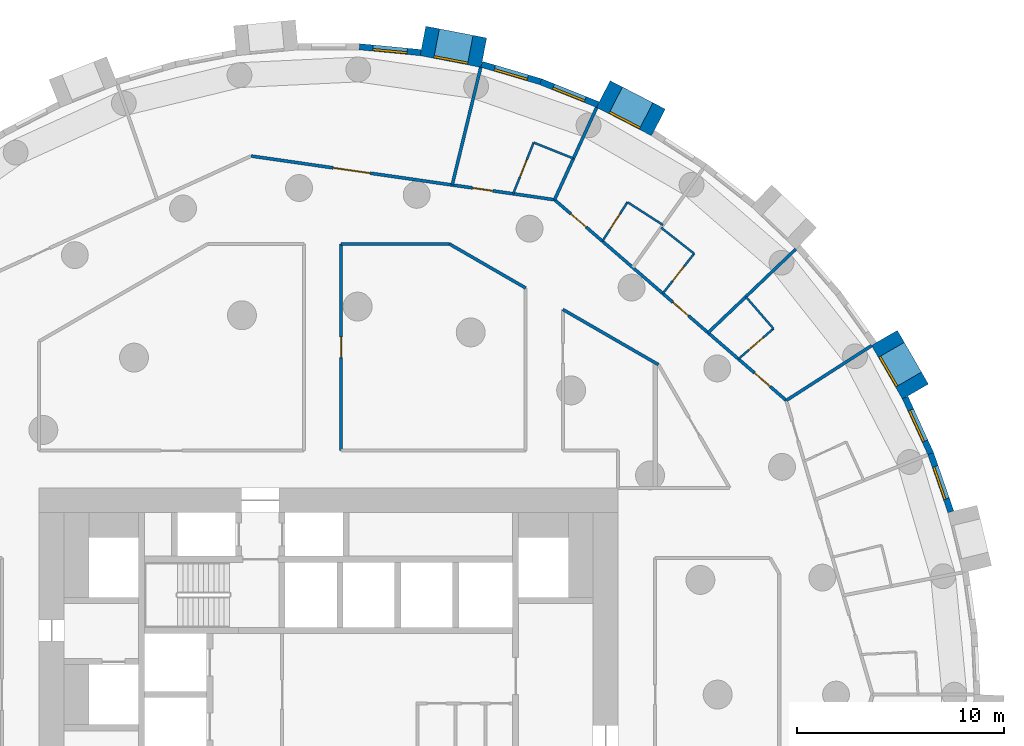
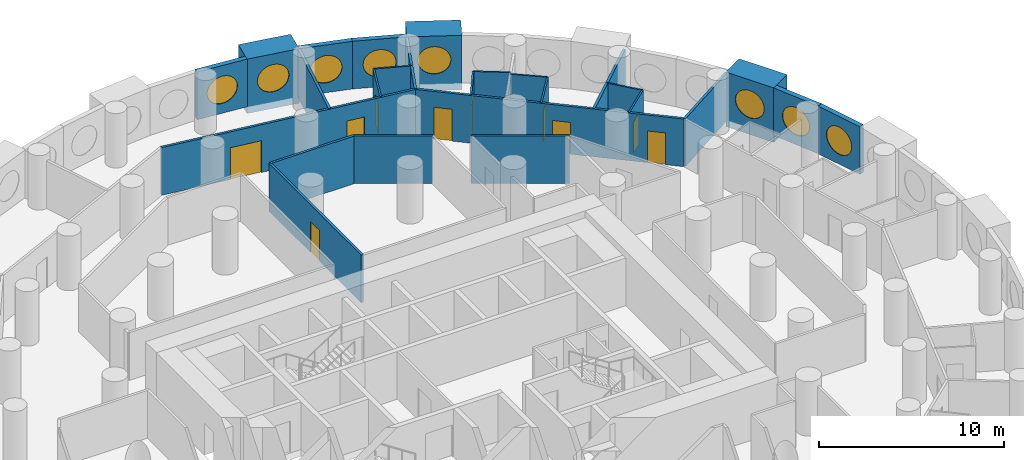
# One storey, part 9 of 12: 26 walls, 10 doors, 8 windows, 18 openings.
"""IFC4 building model written with IfcOpenShell, lengths in metres."""

from ifc_helpers import new_model, si_unit, direction, frame, frame_2d, origin, origin_2d, place, context, subcontext, project, spatial, rectangle, circle, extrude, material, layer, layer_set, type_object, element, fill, save


model = new_model("IFC4")

# Units and contexts
model_context = context("Model", 3, precision=1e-05, world=origin(), true_north=direction((0.0, 1.0)))
body_context = subcontext(model_context, "Body", "Model", "MODEL_VIEW")
ifc_project = project(units=[si_unit("LENGTHUNIT", "METRE"), si_unit("AREAUNIT", "SQUARE_METRE"), si_unit("VOLUMEUNIT", "CUBIC_METRE"), si_unit("PLANEANGLEUNIT", "RADIAN"), si_unit("MASSUNIT", "GRAM", prefix="KILO")], contexts=[model_context])

# Site, building, storey
site_placement = place(None, origin())
site = spatial("IfcSite", under=ifc_project, at=site_placement, CompositionType="ELEMENT")
building_placement = place(site_placement, origin())
building = spatial("IfcBuilding", under=site, at=building_placement, Name="Tracery Tower", CompositionType="ELEMENT")
storey_placement = place(building_placement, frame((0.0, 0.0, 71.39990234375)))
storey = spatial("IfcBuildingStorey", under=building, at=storey_placement, Name="L17", CompositionType="ELEMENT", Elevation=71.39990234375)

# Wall, opening, window
ifc_material_1 = material(Name="Precast concrete C50/60", Category="concrete")
ifc_layer_1 = layer(ifc_material_1, 1.449951171875)
ifc_layer_set_1 = layer_set([ifc_layer_1], Name="Deep-set bay unit 3000 x 3600, slab edge 450")
wall_type_1 = type_object("IfcWallType", Name="Deep-set bay unit 3000 x 3600, slab edge 450", PredefinedType="ELEMENTEDWALL", material=ifc_layer_set_1)
wall_1_placement = place(storey_placement, frame((28.38818359375, 14.657958984375, -0.449951171875), z_axis=(0.0, 0.0, 1.0), x_axis=(-0.499990139034, 0.866031096941, 0.0)))
wall_1 = element("IfcWall", 1, at=wall_1_placement, inside=storey, type_object=wall_type_1, Name="Deep-set bay unit 6 at L17", PredefinedType="ELEMENTEDWALL", context=body_context, shape_type="SweptSolid", body=[
    extrude(rectangle(XDim=3.0, YDim=1.449951171875, at=frame_2d((1.5, 0.0))), origin(), (0.0, 0.0, 1.0), 3.60009765625),
])
opening_1_placement = place(wall_1_placement, frame((1.5, 0.0, 2.0)))
opening_1 = element("IfcOpeningElement", 2, at=opening_1_placement, cuts=wall_1, Name="Opening WN1", PredefinedType="OPENING", context=body_context, shape_type="SweptSolid", body=[
    extrude(circle(Radius=0.9000244140625, at=origin_2d()), frame((0.0, 0.73486328125, 0.0), z_axis=(0.0, -1.0, 0.0), x_axis=(1.0, 0.0, 0.0)), (0.0, 0.0, 1.0), 1.469970703125),
])
ifc_material_2 = material(Name="Aluminium frame with tinted double glazing", Category="aluminium")
window_type = type_object("IfcWindowType", Name="Round window 1800", PartitioningType="SINGLE_PANEL", PredefinedType="WINDOW", material=ifc_material_2)
window_1_placement = place(opening_1_placement, origin())
window_1 = element("IfcWindow", 3, at=window_1_placement, inside=storey, type_object=window_type, Name="Round window 6 at L17", OverallHeight=1.800048828125, OverallWidth=1.800048828125, PartitioningType="SINGLE_PANEL", PredefinedType="WINDOW", context=body_context, shape_type="SweptSolid", body=[
    extrude(circle(Radius=0.9000244140625, at=origin_2d()), frame((0.0, 0.69482421875, 0.0), z_axis=(0.0, -1.0, 0.0), x_axis=(1.0, 0.0, 0.0)), (0.0, 0.0, 1.0), 0.10009765625),
])
fill(opening_1, window_1)

wall_2_placement = place(storey_placement, frame((15.95703125, 27.678955078125, -0.449951171875), z_axis=(0.0, 0.0, 1.0), x_axis=(-0.888858064689, 0.458182650083, 0.0)))
wall_2 = element("IfcWall", 4, at=wall_2_placement, inside=storey, type_object=wall_type_1, Name="Deep-set bay unit 12 at L17", PredefinedType="ELEMENTEDWALL", context=body_context, shape_type="SweptSolid", body=[
    extrude(rectangle(XDim=3.0, YDim=1.449951171875, at=frame_2d((1.5, 0.0))), origin(), (0.0, 0.0, 1.0), 3.60009765625),
])
opening_2_placement = place(wall_2_placement, frame((1.5, 0.0, 2.0)))
opening_2 = element("IfcOpeningElement", 5, at=opening_2_placement, cuts=wall_2, Name="Opening WN1", PredefinedType="OPENING", context=body_context, shape_type="SweptSolid", body=[
    extrude(circle(Radius=0.9000244140625, at=origin_2d()), frame((0.0, 0.73486328125, 0.0), z_axis=(0.0, -1.0, 0.0), x_axis=(1.0, 0.0, 0.0)), (0.0, 0.0, 1.0), 1.469970703125),
])
window_2_placement = place(opening_2_placement, origin())
window_2 = element("IfcWindow", 6, at=window_2_placement, inside=storey, type_object=window_type, Name="Round window 12 at L17", OverallHeight=1.800048828125, OverallWidth=1.800048828125, PartitioningType="SINGLE_PANEL", PredefinedType="WINDOW", context=body_context, shape_type="SweptSolid", body=[
    extrude(circle(Radius=0.9000244140625, at=origin_2d()), frame((0.0, 0.69482421875, 0.0), z_axis=(0.0, -1.0, 0.0), x_axis=(1.0, 0.0, 0.0)), (0.0, 0.0, 1.0), 0.10009765625),
])
fill(opening_2, window_2)

wall_3_placement = place(storey_placement, frame((7.5126953125, 31.05322265625, -0.449951171875), z_axis=(0.0, 0.0, 1.0), x_axis=(-0.981921602273, 0.189288052949, 0.0)))
wall_3 = element("IfcWall", 7, at=wall_3_placement, inside=storey, type_object=wall_type_1, Name="Deep-set bay unit 15 at L17", PredefinedType="ELEMENTEDWALL", context=body_context, shape_type="SweptSolid", body=[
    extrude(rectangle(XDim=3.0, YDim=1.449951171875, at=frame_2d((1.5, 0.0))), origin(), (0.0, 0.0, 1.0), 3.60009765625),
])
opening_3_placement = place(wall_3_placement, frame((1.5, 0.0, 2.0)))
opening_3 = element("IfcOpeningElement", 8, at=opening_3_placement, cuts=wall_3, Name="Opening WN1", PredefinedType="OPENING", context=body_context, shape_type="SweptSolid", body=[
    extrude(circle(Radius=0.9000244140625, at=origin_2d()), frame((0.0, 0.73486328125, 0.0), z_axis=(0.0, -1.0, 0.0), x_axis=(1.0, 0.0, 0.0)), (0.0, 0.0, 1.0), 1.469970703125),
])
window_3_placement = place(opening_3_placement, origin())
window_3 = element("IfcWindow", 9, at=window_3_placement, inside=storey, type_object=window_type, Name="Round window 15 at L17", OverallHeight=1.800048828125, OverallWidth=1.800048828125, PartitioningType="SINGLE_PANEL", PredefinedType="WINDOW", context=body_context, shape_type="SweptSolid", body=[
    extrude(circle(Radius=0.9000244140625, at=origin_2d()), frame((0.0, 0.69482421875, 0.0), z_axis=(0.0, -1.0, 0.0), x_axis=(1.0, 0.0, 0.0)), (0.0, 0.0, 1.0), 0.10009765625),
])
fill(opening_3, window_3)

ifc_material_3 = material(Name="Precast concrete C50/60", Category="concrete")
ifc_layer_2 = layer(ifc_material_3, 0.300048828125)
ifc_layer_set_2 = layer_set([ifc_layer_2], Name="Facade panel 3000 x 3150")
wall_type_2 = type_object("IfcWallType", Name="Facade panel 3000 x 3150", PredefinedType="SOLIDWALL", material=ifc_layer_set_2)
wall_4_placement = place(storey_placement, frame((30.1015625, 8.844970703125, 0.0), z_axis=(0.0, 0.0, 1.0), x_axis=(-0.327096492592, 0.944990944154, 0.0)))
wall_4 = element("IfcWall", 10, at=wall_4_placement, inside=storey, type_object=wall_type_2, Name="Facade panel 4 at L17", PredefinedType="SOLIDWALL", context=body_context, shape_type="SweptSolid", body=[
    extrude(rectangle(XDim=2.9794921875, YDim=0.300048828125, at=frame_2d((1.48974609375, 0.0))), origin(), (0.0, 0.0, 1.0), 3.150146484375),
])
opening_4_placement = place(wall_4_placement, frame((1.48974609375, 0.0, 1.5498046875)))
opening_4 = element("IfcOpeningElement", 11, at=opening_4_placement, cuts=wall_4, Name="Opening WN1", PredefinedType="OPENING", context=body_context, shape_type="SweptSolid", body=[
    extrude(circle(Radius=0.9000244140625, at=origin_2d()), frame((0.0, 0.159912109375, 0.0), z_axis=(0.0, -1.0, 0.0), x_axis=(1.0, 0.0, 0.0)), (0.0, 0.0, 1.0), 0.320068359375),
])
window_4_placement = place(opening_4_placement, origin())
window_4 = element("IfcWindow", 12, at=window_4_placement, inside=storey, type_object=window_type, Name="Round window 4 at L17", OverallHeight=1.800048828125, OverallWidth=1.800048828125, PartitioningType="SINGLE_PANEL", PredefinedType="WINDOW", context=body_context, shape_type="SweptSolid", body=[
    extrude(circle(Radius=0.9000244140625, at=origin_2d()), frame((0.0, 0.1201171875, 0.0), z_axis=(0.0, -1.0, 0.0), x_axis=(1.0, 0.0, 0.0)), (0.0, 0.0, 1.0), 0.10009765625),
])
fill(opening_4, window_4)

wall_5_placement = place(storey_placement, frame((29.126953125, 11.66064453125, 0.0), z_axis=(0.0, 0.0, 1.0), x_axis=(-0.415407317162, 0.909635509888, 0.0)))
wall_5 = element("IfcWall", 13, at=wall_5_placement, inside=storey, type_object=wall_type_2, Name="Facade panel 5 at L17", PredefinedType="SOLIDWALL", context=body_context, shape_type="SweptSolid", body=[
    extrude(rectangle(XDim=2.979736328125, YDim=0.300048828125, at=frame_2d((1.48974609375, 0.0))), origin(), (0.0, 0.0, 1.0), 3.150146484375),
])
opening_5_placement = place(wall_5_placement, frame((1.48974609375, 0.0, 1.5498046875)))
opening_5 = element("IfcOpeningElement", 14, at=opening_5_placement, cuts=wall_5, Name="Opening WN1", PredefinedType="OPENING", context=body_context, shape_type="SweptSolid", body=[
    extrude(circle(Radius=0.9000244140625, at=origin_2d()), frame((0.0, 0.159912109375, 0.0), z_axis=(0.0, -1.0, 0.0), x_axis=(1.0, 0.0, 0.0)), (0.0, 0.0, 1.0), 0.320068359375),
])
window_5_placement = place(opening_5_placement, origin())
window_5 = element("IfcWindow", 15, at=window_5_placement, inside=storey, type_object=window_type, Name="Round window 5 at L17", OverallHeight=1.800048828125, OverallWidth=1.800048828125, PartitioningType="SINGLE_PANEL", PredefinedType="WINDOW", context=body_context, shape_type="SweptSolid", body=[
    extrude(circle(Radius=0.9000244140625, at=origin_2d()), frame((0.0, 0.1201171875, 0.0), z_axis=(0.0, -1.0, 0.0), x_axis=(1.0, 0.0, 0.0)), (0.0, 0.0, 1.0), 0.10009765625),
])
fill(opening_5, window_5)

wall_6_placement = place(storey_placement, frame((13.02783203125, 28.54150390625, 0.0), z_axis=(0.0, 0.0, 1.0), x_axis=(-0.928374947, 0.371644935098, 0.0)))
wall_6 = element("IfcWall", 16, at=wall_6_placement, inside=storey, type_object=wall_type_2, Name="Facade panel 13 at L17", PredefinedType="SOLIDWALL", context=body_context, shape_type="SweptSolid", body=[
    extrude(rectangle(XDim=2.979736328125, YDim=0.300048828125, at=frame_2d((1.48974609375, 0.0))), origin(), (0.0, 0.0, 1.0), 3.150146484375),
])
opening_6_placement = place(wall_6_placement, frame((1.48974609375, 0.0, 1.5498046875)))
opening_6 = element("IfcOpeningElement", 17, at=opening_6_placement, cuts=wall_6, Name="Opening WN1", PredefinedType="OPENING", context=body_context, shape_type="SweptSolid", body=[
    extrude(circle(Radius=0.9000244140625, at=origin_2d()), frame((0.0, 0.159912109375, 0.0), z_axis=(0.0, -1.0, 0.0), x_axis=(1.0, 0.0, 0.0)), (0.0, 0.0, 1.0), 0.320068359375),
])
window_6_placement = place(opening_6_placement, origin())
window_6 = element("IfcWindow", 18, at=window_6_placement, inside=storey, type_object=window_type, Name="Round window 13 at L17", OverallHeight=1.800048828125, OverallWidth=1.800048828125, PartitioningType="SINGLE_PANEL", PredefinedType="WINDOW", context=body_context, shape_type="SweptSolid", body=[
    extrude(circle(Radius=0.9000244140625, at=origin_2d()), frame((0.0, 0.1201171875, 0.0), z_axis=(0.0, -1.0, 0.0), x_axis=(1.0, 0.0, 0.0)), (0.0, 0.0, 1.0), 0.10009765625),
])
fill(opening_6, window_6)

wall_7_placement = place(storey_placement, frame((10.261474609375, 29.64892578125, 0.0), z_axis=(0.0, 0.0, 1.0), x_axis=(-0.959501085144, 0.281704930036, 0.0)))
wall_7 = element("IfcWall", 19, at=wall_7_placement, inside=storey, type_object=wall_type_2, Name="Facade panel 14 at L17", PredefinedType="SOLIDWALL", context=body_context, shape_type="SweptSolid", body=[
    extrude(rectangle(XDim=2.9794921875, YDim=0.300048828125, at=frame_2d((1.48974609375, 0.0))), origin(), (0.0, 0.0, 1.0), 3.150146484375),
])
opening_7_placement = place(wall_7_placement, frame((1.48974609375, 0.0, 1.5498046875)))
opening_7 = element("IfcOpeningElement", 20, at=opening_7_placement, cuts=wall_7, Name="Opening WN1", PredefinedType="OPENING", context=body_context, shape_type="SweptSolid", body=[
    extrude(circle(Radius=0.9000244140625, at=origin_2d()), frame((0.0, 0.159912109375, 0.0), z_axis=(0.0, -1.0, 0.0), x_axis=(1.0, 0.0, 0.0)), (0.0, 0.0, 1.0), 0.320068359375),
])
window_7_placement = place(opening_7_placement, origin())
window_7 = element("IfcWindow", 21, at=window_7_placement, inside=storey, type_object=window_type, Name="Round window 14 at L17", OverallHeight=1.800048828125, OverallWidth=1.800048828125, PartitioningType="SINGLE_PANEL", PredefinedType="WINDOW", context=body_context, shape_type="SweptSolid", body=[
    extrude(circle(Radius=0.9000244140625, at=origin_2d()), frame((0.0, 0.1201171875, 0.0), z_axis=(0.0, -1.0, 0.0), x_axis=(1.0, 0.0, 0.0)), (0.0, 0.0, 1.0), 0.10009765625),
])
fill(opening_7, window_7)

wall_8_placement = place(storey_placement, frame((4.458984375, 31.0556640625, 0.0), z_axis=(0.0, 0.0, 1.0), x_axis=(-0.995472611385, 0.095048829468, 0.0)))
wall_8 = element("IfcWall", 22, at=wall_8_placement, inside=storey, type_object=wall_type_2, Name="Facade panel 16 at L17", PredefinedType="SOLIDWALL", context=body_context, shape_type="SweptSolid", body=[
    extrude(rectangle(XDim=2.9794921875, YDim=0.300048828125, at=frame_2d((1.48974609375, 0.0))), origin(), (0.0, 0.0, 1.0), 3.150146484375),
])
opening_8_placement = place(wall_8_placement, frame((1.48974609375, 0.0, 1.5498046875)))
opening_8 = element("IfcOpeningElement", 23, at=opening_8_placement, cuts=wall_8, Name="Opening WN1", PredefinedType="OPENING", context=body_context, shape_type="SweptSolid", body=[
    extrude(circle(Radius=0.9000244140625, at=origin_2d()), frame((0.0, 0.159912109375, 0.0), z_axis=(0.0, -1.0, 0.0), x_axis=(1.0, 0.0, 0.0)), (0.0, 0.0, 1.0), 0.320068359375),
])
window_8_placement = place(opening_8_placement, origin())
window_8 = element("IfcWindow", 24, at=window_8_placement, inside=storey, type_object=window_type, Name="Round window 16 at L17", OverallHeight=1.800048828125, OverallWidth=1.800048828125, PartitioningType="SINGLE_PANEL", PredefinedType="WINDOW", context=body_context, shape_type="SweptSolid", body=[
    extrude(circle(Radius=0.9000244140625, at=origin_2d()), frame((0.0, 0.1201171875, 0.0), z_axis=(0.0, -1.0, 0.0), x_axis=(1.0, 0.0, 0.0)), (0.0, 0.0, 1.0), 0.10009765625),
])
fill(opening_8, window_8)

# Wall, opening, door
ifc_material_4 = material(Name="Plasterboard on steel studs", Category="steel")
ifc_layer_3 = layer(ifc_material_4, 0.10009765625)
ifc_layer_set_3 = layer_set([ifc_layer_3], Name="Partition 100 wet wall")
wall_type_3 = type_object("IfcWallType", Name="Partition 100 wet wall", PredefinedType="PARTITIONING", material=ifc_layer_set_3)
wall_9_placement = place(storey_placement, frame((19.825927734375, 16.23388671875, 0.0), z_axis=(0.0, 0.0, 1.0), x_axis=(0.755703447798, 0.654913963042, 0.0)))
wall_9 = element("IfcWall", 25, at=wall_9_placement, inside=storey, type_object=wall_type_3, Name="Wet wall RA5-068", PredefinedType="PARTITIONING", context=body_context, shape_type="SweptSolid", body=[
    extrude(rectangle(XDim=2.242919921875, YDim=0.10009765625, at=frame_2d((1.12158203125, 0.0))), origin(), (0.0, 0.0, 1.0), 3.150146484375),
])
opening_9_placement = place(wall_9_placement, frame((0.6708984375, 0.0, 0.0)))
opening_9 = element("IfcOpeningElement", 26, at=opening_9_placement, cuts=wall_9, Name="Opening RA5-16", PredefinedType="OPENING", context=body_context, shape_type="SweptSolid", body=[
    extrude(rectangle(XDim=0.89990234375, YDim=2.0400390625, at=frame_2d((0.449951171875, 1.02001953125))), frame((0.0, 0.050048828125, 0.0), z_axis=(0.0, -1.0, 0.0), x_axis=(1.0, 0.0, 0.0)), (0.0, 0.0, 1.0), 0.10009765625),
])
ifc_material_5 = material(Name="Timber door leaf", Category="wood")
door_type_1 = type_object("IfcDoorType", Name="Door en-suite 900", OperationType="NOTDEFINED", PredefinedType="DOOR", material=ifc_material_5)
door_1_placement = place(opening_9_placement, origin())
door_1 = element("IfcDoor", 27, at=door_1_placement, inside=storey, type_object=door_type_1, Name="En-suite door RA5-16", OperationType="SINGLE_SWING_LEFT", OverallHeight=2.0400390625, OverallWidth=0.89990234375, PredefinedType="DOOR", context=body_context, shape_type="SweptSolid", body=[
    extrude(rectangle(XDim=0.89990234375, YDim=2.0400390625, at=frame_2d((0.449951171875, 1.02001953125))), frame((0.0, 0.02490234375, 0.0), z_axis=(0.0, -1.0, 0.0), x_axis=(1.0, 0.0, 0.0)), (0.0, 0.0, 1.0), 0.050048828125),
])
fill(opening_9, door_1)

# Wall
wall_10_placement = place(storey_placement, frame((20.18408203125, 19.2451171875, 0.0), z_axis=(0.0, 0.0, 1.0), x_axis=(0.655017058368, -0.755614090159, 0.0)))
element("IfcWall", 28, at=wall_10_placement, inside=storey, type_object=wall_type_3, Name="Wet wall RA5-069", PredefinedType="PARTITIONING", context=body_context, shape_type="SweptSolid", body=[
    extrude(rectangle(XDim=2.041015625, YDim=0.10009765625, at=frame_2d((1.0205078125, 0.0))), origin(), (0.0, 0.0, 1.0), 3.150146484375),
])

# Wall, opening, door
wall_11_placement = place(storey_placement, frame((16.16796875, 19.404052734375, 0.0), z_axis=(0.0, 0.0, 1.0), x_axis=(0.618142414415, 0.786066126672, 0.0)))
wall_11 = element("IfcWall", 29, at=wall_11_placement, inside=storey, type_object=wall_type_3, Name="Wet wall RA5-071", PredefinedType="PARTITIONING", context=body_context, shape_type="SweptSolid", body=[
    extrude(rectangle(XDim=2.45263671875, YDim=0.10009765625, at=frame_2d((1.226318359375, 0.0))), origin(), (0.0, 0.0, 1.0), 3.150146484375),
])
opening_10_placement = place(wall_11_placement, frame((0.77587890625, 0.0, 0.0)))
opening_10 = element("IfcOpeningElement", 30, at=opening_10_placement, cuts=wall_11, Name="Opening RA5-18", PredefinedType="OPENING", context=body_context, shape_type="SweptSolid", body=[
    extrude(rectangle(XDim=0.89990234375, YDim=2.0400390625, at=frame_2d((0.449951171875, 1.02001953125))), frame((0.0, 0.050048828125, 0.0), z_axis=(0.0, -1.0, 0.0), x_axis=(1.0, 0.0, 0.0)), (0.0, 0.0, 1.0), 0.10009765625),
])
door_2_placement = place(opening_10_placement, origin())
door_2 = element("IfcDoor", 31, at=door_2_placement, inside=storey, type_object=door_type_1, Name="En-suite door RA5-18", OperationType="SINGLE_SWING_LEFT", OverallHeight=2.0400390625, OverallWidth=0.89990234375, PredefinedType="DOOR", context=body_context, shape_type="SweptSolid", body=[
    extrude(rectangle(XDim=0.89990234375, YDim=2.0400390625, at=frame_2d((0.449951171875, 1.02001953125))), frame((0.0, 0.02490234375, 0.0), z_axis=(0.0, -1.0, 0.0), x_axis=(1.0, 0.0, 0.0)), (0.0, 0.0, 1.0), 0.050048828125),
])
fill(opening_10, door_2)

# Walls
wall_12_placement = place(storey_placement, frame((16.0859375, 22.589111328125, 0.0), z_axis=(0.0, 0.0, 1.0), x_axis=(0.785984904201, -0.618245687707, 0.0)))
element("IfcWall", 32, at=wall_12_placement, inside=storey, type_object=wall_type_3, Name="Wet wall RA5-072", PredefinedType="PARTITIONING", context=body_context, shape_type="SweptSolid", body=[
    extrude(rectangle(XDim=2.033203125, YDim=0.10009765625, at=frame_2d((1.0166015625, 0.0))), origin(), (0.0, 0.0, 1.0), 3.150146484375),
])
wall_13_placement = place(storey_placement, frame((14.4599609375, 23.821044921875, 0.0), z_axis=(0.0, 0.0, 1.0), x_axis=(0.841135728185, -0.540824081168, 0.0)))
element("IfcWall", 33, at=wall_13_placement, inside=storey, type_object=wall_type_3, Name="Wet wall RA5-074", PredefinedType="PARTITIONING", context=body_context, shape_type="SweptSolid", body=[
    extrude(rectangle(XDim=2.041259765625, YDim=0.10009765625, at=frame_2d((1.0205078125, 0.0))), origin(), (0.0, 0.0, 1.0), 3.150146484375),
])

# Wall, opening, door
wall_14_placement = place(storey_placement, frame((13.248046875, 21.93505859375, 0.0), z_axis=(0.0, 0.0, 1.0), x_axis=(0.540597960994, 0.841281073464, 0.0)))
wall_14 = element("IfcWall", 34, at=wall_14_placement, inside=storey, type_object=wall_type_3, Name="Wet wall RA5-075", PredefinedType="PARTITIONING", context=body_context, shape_type="SweptSolid", body=[
    extrude(rectangle(XDim=2.24169921875, YDim=0.10009765625, at=frame_2d((1.120849609375, 0.0))), origin(), (0.0, 0.0, 1.0), 3.150146484375),
])
opening_11_placement = place(wall_14_placement, frame((0.6708984375, 0.0, 0.0)))
opening_11 = element("IfcOpeningElement", 35, at=opening_11_placement, cuts=wall_14, Name="Opening RA5-20", PredefinedType="OPENING", context=body_context, shape_type="SweptSolid", body=[
    extrude(rectangle(XDim=0.89990234375, YDim=2.0400390625, at=frame_2d((0.449951171875, 1.02001953125))), frame((0.0, 0.050048828125, 0.0), z_axis=(0.0, -1.0, 0.0), x_axis=(1.0, 0.0, 0.0)), (0.0, 0.0, 1.0), 0.10009765625),
])
door_3_placement = place(opening_11_placement, origin())
door_3 = element("IfcDoor", 36, at=door_3_placement, inside=storey, type_object=door_type_1, Name="En-suite door RA5-20", OperationType="SINGLE_SWING_RIGHT", OverallHeight=2.0400390625, OverallWidth=0.89990234375, PredefinedType="DOOR", context=body_context, shape_type="SweptSolid", body=[
    extrude(rectangle(XDim=0.89990234375, YDim=2.0400390625, at=frame_2d((0.449951171875, 1.02001953125))), frame((0.0, 0.02490234375, 0.0), z_axis=(0.0, -1.0, 0.0), x_axis=(1.0, 0.0, 0.0)), (0.0, 0.0, 1.0), 0.050048828125),
])
fill(opening_11, door_3)

# Wall
wall_15_placement = place(storey_placement, frame((9.9208984375, 26.7041015625, 0.0), z_axis=(0.0, 0.0, 1.0), x_axis=(0.928346586681, -0.37171577179, 0.0)))
element("IfcWall", 37, at=wall_15_placement, inside=storey, type_object=wall_type_3, Name="Wet wall RA5-077", PredefinedType="PARTITIONING", context=body_context, shape_type="SweptSolid", body=[
    extrude(rectangle(XDim=2.071533203125, YDim=0.10009765625, at=frame_2d((1.03564453125, 0.0))), origin(), (0.0, 0.0, 1.0), 3.150146484375),
])

# Wall, opening, door
wall_16_placement = place(storey_placement, frame((8.929931640625, 24.22802734375, 0.0), z_axis=(0.0, 0.0, 1.0), x_axis=(0.371564281805, 0.928407229876, 0.0)))
wall_16 = element("IfcWall", 38, at=wall_16_placement, inside=storey, type_object=wall_type_3, Name="Wet wall RA5-078", PredefinedType="PARTITIONING", context=body_context, shape_type="SweptSolid", body=[
    extrude(rectangle(XDim=2.6669921875, YDim=0.10009765625, at=frame_2d((1.33349609375, 0.0))), origin(), (0.0, 0.0, 1.0), 3.150146484375),
])
opening_12_placement = place(wall_16_placement, frame((0.884033203125, 0.0, 0.0)))
opening_12 = element("IfcOpeningElement", 39, at=opening_12_placement, cuts=wall_16, Name="Opening RA5-22", PredefinedType="OPENING", context=body_context, shape_type="SweptSolid", body=[
    extrude(rectangle(XDim=0.89990234375, YDim=2.0400390625, at=frame_2d((0.449951171875, 1.02001953125))), frame((0.0, 0.050048828125, 0.0), z_axis=(0.0, -1.0, 0.0), x_axis=(1.0, 0.0, 0.0)), (0.0, 0.0, 1.0), 0.10009765625),
])
door_4_placement = place(opening_12_placement, origin())
door_4 = element("IfcDoor", 40, at=door_4_placement, inside=storey, type_object=door_type_1, Name="En-suite door RA5-22", OperationType="SINGLE_SWING_LEFT", OverallHeight=2.0400390625, OverallWidth=0.89990234375, PredefinedType="DOOR", context=body_context, shape_type="SweptSolid", body=[
    extrude(rectangle(XDim=0.89990234375, YDim=2.0400390625, at=frame_2d((0.449951171875, 1.02001953125))), frame((0.0, 0.02490234375, 0.0), z_axis=(0.0, -1.0, 0.0), x_axis=(1.0, 0.0, 0.0)), (0.0, 0.0, 1.0), 0.050048828125),
])
fill(opening_12, door_4)

# Walls
ifc_material_6 = material(Name="Plasterboard on steel studs", Category="steel")
ifc_layer_4 = layer(ifc_material_6, 0.14990234375)
ifc_layer_set_4 = layer_set([ifc_layer_4], Name="Partition 150 acoustic unit wall")
wall_type_4 = type_object("IfcWallType", Name="Partition 150 acoustic unit wall", PredefinedType="PARTITIONING", material=ifc_layer_set_4)
wall_17_placement = place(storey_placement, frame((22.14111328125, 14.22900390625, 0.0), z_axis=(0.0, 0.0, 1.0), x_axis=(0.841265781699, 0.540621757371, 0.0)))
element("IfcWall", 41, at=wall_17_placement, inside=storey, type_object=wall_type_4, Name="Unit wall RA5-067", PredefinedType="PARTITIONING", context=body_context, shape_type="SweptSolid", body=[
    extrude(rectangle(XDim=4.90576171875, YDim=0.14990234375, at=frame_2d((2.452880859375, 0.0))), origin(), (0.0, 0.0, 1.0), 3.150146484375),
])
wall_18_placement = place(storey_placement, frame((18.359619140625, 17.50537109375, 0.0), z_axis=(0.0, 0.0, 1.0), x_axis=(0.723686703731, 0.690128650937, 0.0)))
element("IfcWall", 42, at=wall_18_placement, inside=storey, type_object=wall_type_4, Name="Unit wall RA5-070", PredefinedType="PARTITIONING", context=body_context, shape_type="SweptSolid", body=[
    extrude(rectangle(XDim=5.8564453125, YDim=0.14990234375, at=frame_2d((2.92822265625, 0.0))), origin(), (0.0, 0.0, 1.0), 3.150146484375),
])
wall_19_placement = place(storey_placement, frame((10.933349609375, 23.939697265625, 0.0), z_axis=(0.0, 0.0, 1.0), x_axis=(0.415286978667, 0.909690455787, 0.0)))
element("IfcWall", 43, at=wall_19_placement, inside=storey, type_object=wall_type_4, Name="Unit wall RA5-076", PredefinedType="PARTITIONING", context=body_context, shape_type="SweptSolid", body=[
    extrude(rectangle(XDim=4.906494140625, YDim=0.14990234375, at=frame_2d((2.453125, 0.0))), origin(), (0.0, 0.0, 1.0), 3.150146484375),
])
wall_20_placement = place(storey_placement, frame((5.98095703125, 24.652099609375, 0.0), z_axis=(0.0, 0.0, 1.0), x_axis=(0.235644168604, 0.971839403298, 0.0)))
element("IfcWall", 44, at=wall_20_placement, inside=storey, type_object=wall_type_4, Name="Unit wall RA5-079", PredefinedType="PARTITIONING", context=body_context, shape_type="SweptSolid", body=[
    extrude(rectangle(XDim=5.85693359375, YDim=0.14990234375, at=frame_2d((2.928466796875, 0.0))), origin(), (0.0, 0.0, 1.0), 3.150146484375),
])

# Wall, openings, doors
ifc_material_7 = material(Name="Plasterboard on steel studs", Category="steel")
ifc_layer_5 = layer(ifc_material_7, 0.14990234375)
ifc_layer_set_5 = layer_set([ifc_layer_5], Name="Partition 150 corridor wall")
wall_type_5 = type_object("IfcWallType", Name="Partition 150 corridor wall", PredefinedType="PARTITIONING", material=ifc_layer_set_5)
wall_21_placement = place(storey_placement, frame((10.93212890625, 23.93896484375, 0.0), z_axis=(0.0, 0.0, 1.0), x_axis=(0.755838982892, -0.654757536757, 0.0)))
wall_21 = element("IfcWall", 45, at=wall_21_placement, inside=storey, type_object=wall_type_5, Name="Corridor wall RA5-021", PredefinedType="PARTITIONING", context=body_context, shape_type="SweptSolid", body=[
    extrude(rectangle(XDim=14.829833984375, YDim=0.14990234375, at=frame_2d((7.4150390625, 0.0))), origin(), (0.0, 0.0, 1.0), 3.150146484375),
])
opening_13_placement = place(wall_21_placement, frame((12.7958984375, 0.0, 0.0)))
opening_13 = element("IfcOpeningElement", 46, at=opening_13_placement, cuts=wall_21, Name="Opening RA5-17", PredefinedType="OPENING", context=body_context, shape_type="SweptSolid", body=[
    extrude(rectangle(XDim=1.0, YDim=2.10009765625, at=frame_2d((0.5, 1.050048828125))), frame((0.0, 0.074951171875, 0.0), z_axis=(0.0, -1.0, 0.0), x_axis=(1.0, 0.0, 0.0)), (0.0, 0.0, 1.0), 0.14990234375),
])
opening_14_placement = place(wall_21_placement, frame((7.571533203125, 0.0, 0.0)))
opening_14 = element("IfcOpeningElement", 47, at=opening_14_placement, cuts=wall_21, Name="Opening RA5-19", PredefinedType="OPENING", context=body_context, shape_type="SweptSolid", body=[
    extrude(rectangle(XDim=1.0, YDim=2.10009765625, at=frame_2d((0.5, 1.050048828125))), frame((0.0, 0.074951171875, 0.0), z_axis=(0.0, -1.0, 0.0), x_axis=(1.0, 0.0, 0.0)), (0.0, 0.0, 1.0), 0.14990234375),
])
opening_15_placement = place(wall_21_placement, frame((1.032958984375, 0.0, 0.0)))
opening_15 = element("IfcOpeningElement", 48, at=opening_15_placement, cuts=wall_21, Name="Opening RA5-21", PredefinedType="OPENING", context=body_context, shape_type="SweptSolid", body=[
    extrude(rectangle(XDim=1.0, YDim=2.10009765625, at=frame_2d((0.5, 1.050048828125))), frame((0.0, 0.074951171875, 0.0), z_axis=(0.0, -1.0, 0.0), x_axis=(1.0, 0.0, 0.0)), (0.0, 0.0, 1.0), 0.14990234375),
])
ifc_material_8 = material(Name="Timber door leaf", Category="wood")
door_type_2 = type_object("IfcDoorType", Name="Door unit entrance 1000", OperationType="NOTDEFINED", PredefinedType="DOOR", material=ifc_material_8)
door_5_placement = place(opening_13_placement, origin())
door_5 = element("IfcDoor", 49, at=door_5_placement, inside=storey, type_object=door_type_2, Name="Unit entrance door RA5-17", OperationType="SINGLE_SWING_LEFT", OverallHeight=2.10009765625, OverallWidth=1.0, PredefinedType="DOOR", context=body_context, shape_type="SweptSolid", body=[
    extrude(rectangle(XDim=1.0, YDim=2.10009765625, at=frame_2d((0.5, 1.050048828125))), frame((0.0, 0.02490234375, 0.0), z_axis=(0.0, -1.0, 0.0), x_axis=(1.0, 0.0, 0.0)), (0.0, 0.0, 1.0), 0.050048828125),
])
fill(opening_13, door_5)
door_6_placement = place(opening_14_placement, origin())
door_6 = element("IfcDoor", 50, at=door_6_placement, inside=storey, type_object=door_type_2, Name="Unit entrance door RA5-19", OperationType="SINGLE_SWING_LEFT", OverallHeight=2.10009765625, OverallWidth=1.0, PredefinedType="DOOR", context=body_context, shape_type="SweptSolid", body=[
    extrude(rectangle(XDim=1.0, YDim=2.10009765625, at=frame_2d((0.5, 1.050048828125))), frame((0.0, 0.02490234375, 0.0), z_axis=(0.0, -1.0, 0.0), x_axis=(1.0, 0.0, 0.0)), (0.0, 0.0, 1.0), 0.050048828125),
])
fill(opening_14, door_6)
door_7_placement = place(opening_15_placement, origin())
door_7 = element("IfcDoor", 51, at=door_7_placement, inside=storey, type_object=door_type_2, Name="Unit entrance door RA5-21", OperationType="SINGLE_SWING_LEFT", OverallHeight=2.10009765625, OverallWidth=1.0, PredefinedType="DOOR", context=body_context, shape_type="SweptSolid", body=[
    extrude(rectangle(XDim=1.0, YDim=2.10009765625, at=frame_2d((0.5, 1.050048828125))), frame((0.0, 0.02490234375, 0.0), z_axis=(0.0, -1.0, 0.0), x_axis=(1.0, 0.0, 0.0)), (0.0, 0.0, 1.0), 0.050048828125),
])
fill(opening_15, door_7)

# Walls
wall_22_placement = place(storey_placement, frame((5.842041015625, 21.802001953125, 0.0), z_axis=(0.0, 0.0, 1.0), x_axis=(0.865983505205, -0.500072563448, 0.0)))
element("IfcWall", 52, at=wall_22_placement, inside=storey, type_object=wall_type_5, Name="Corridor wall RA5-029", PredefinedType="PARTITIONING", context=body_context, shape_type="SweptSolid", body=[
    extrude(rectangle(XDim=4.265380859375, YDim=0.14990234375, at=frame_2d((2.1328125, 0.0))), origin(), (0.0, 0.0, 1.0), 3.150146484375),
])
wall_23_placement = place(storey_placement, frame((0.60791015625, 21.802001953125, 0.0), z_axis=(0.0, 0.0, 1.0), x_axis=(1.0, 0.0, 0.0)))
element("IfcWall", 53, at=wall_23_placement, inside=storey, type_object=wall_type_5, Name="Corridor wall RA5-030", PredefinedType="PARTITIONING", context=body_context, shape_type="SweptSolid", body=[
    extrude(rectangle(XDim=5.234130859375, YDim=0.14990234375, at=frame_2d((2.6171875, 0.0))), origin(), (0.0, 0.0, 1.0), 3.150146484375),
])

# Wall, opening, door
wall_24_placement = place(storey_placement, frame((0.60791015625, 11.800048828125, 0.0), z_axis=(0.0, 0.0, 1.0), x_axis=(0.0, 1.0, 0.0)))
wall_24 = element("IfcWall", 54, at=wall_24_placement, inside=storey, type_object=wall_type_5, Name="Corridor wall RA5-031", PredefinedType="PARTITIONING", context=body_context, shape_type="SweptSolid", body=[
    extrude(rectangle(XDim=10.001953125, YDim=0.14990234375, at=frame_2d((5.0009765625, 0.0))), origin(), (0.0, 0.0, 1.0), 3.150146484375),
])
opening_16_placement = place(wall_24_placement, frame((4.5009765625, 0.0, 0.0)))
opening_16 = element("IfcOpeningElement", 55, at=opening_16_placement, cuts=wall_24, Name="Opening RA5-02", PredefinedType="OPENING", context=body_context, shape_type="SweptSolid", body=[
    extrude(rectangle(XDim=1.0, YDim=2.0400390625, at=frame_2d((0.5, 1.02001953125))), frame((0.0, 0.074951171875, 0.0), z_axis=(0.0, -1.0, 0.0), x_axis=(1.0, 0.0, 0.0)), (0.0, 0.0, 1.0), 0.14990234375),
])
ifc_material_9 = material(Name="Timber door leaf", Category="wood")
door_type_3 = type_object("IfcDoorType", Name="Door communal room 1000", OperationType="NOTDEFINED", PredefinedType="DOOR", material=ifc_material_9)
door_8_placement = place(opening_16_placement, origin())
door_8 = element("IfcDoor", 56, at=door_8_placement, inside=storey, type_object=door_type_3, Name="Communal room door RA5-02", OperationType="SINGLE_SWING_RIGHT", OverallHeight=2.0400390625, OverallWidth=1.0, PredefinedType="DOOR", context=body_context, shape_type="SweptSolid", body=[
    extrude(rectangle(XDim=1.0, YDim=2.0400390625, at=frame_2d((0.5, 1.02001953125))), frame((0.0, 0.02490234375, 0.0), z_axis=(0.0, -1.0, 0.0), x_axis=(1.0, 0.0, 0.0)), (0.0, 0.0, 1.0), 0.050048828125),
])
fill(opening_16, door_8)

# Wall
wall_25_placement = place(storey_placement, frame((11.3359375, 18.6298828125, 0.0), z_axis=(0.0, 0.0, 1.0), x_axis=(0.866056911224, -0.499945423543, 0.0)))
element("IfcWall", 57, at=wall_25_placement, inside=storey, type_object=wall_type_5, Name="Corridor wall RA5-032", PredefinedType="PARTITIONING", context=body_context, shape_type="SweptSolid", body=[
    extrude(rectangle(XDim=5.33935546875, YDim=0.14990234375, at=frame_2d((2.669677734375, 0.0))), origin(), (0.0, 0.0, 1.0), 3.150146484375),
])

# Wall, openings, doors
wall_26_placement = place(storey_placement, frame((-3.74560546875, 26.0537109375, 0.0), z_axis=(0.0, 0.0, 1.0), x_axis=(0.989780545379, -0.142598990138, 0.0)))
wall_26 = element("IfcWall", 58, at=wall_26_placement, inside=storey, type_object=wall_type_5, Name="Corridor wall RA5-034", PredefinedType="PARTITIONING", context=body_context, shape_type="SweptSolid", body=[
    extrude(rectangle(XDim=14.830078125, YDim=0.14990234375, at=frame_2d((7.4150390625, 0.0))), origin(), (0.0, 0.0, 1.0), 3.150146484375),
])
opening_17_placement = place(wall_26_placement, frame((10.81689453125, 0.0, 0.0)))
opening_17 = element("IfcOpeningElement", 59, at=opening_17_placement, cuts=wall_26, Name="Opening RA5-23", PredefinedType="OPENING", context=body_context, shape_type="SweptSolid", body=[
    extrude(rectangle(XDim=1.0, YDim=2.10009765625, at=frame_2d((0.5, 1.050048828125))), frame((0.0, 0.074951171875, 0.0), z_axis=(0.0, -1.0, 0.0), x_axis=(1.0, 0.0, 0.0)), (0.0, 0.0, 1.0), 0.14990234375),
])
opening_18_placement = place(wall_26_placement, frame((4.01611328125, 0.0, 0.0)))
opening_18 = element("IfcOpeningElement", 60, at=opening_18_placement, cuts=wall_26, Name="Opening RA5-24", PredefinedType="OPENING", context=body_context, shape_type="SweptSolid", body=[
    extrude(rectangle(XDim=1.800048828125, YDim=2.10009765625, at=frame_2d((0.89990234375, 1.050048828125))), frame((0.0, 0.074951171875, 0.0), z_axis=(0.0, -1.0, 0.0), x_axis=(1.0, 0.0, 0.0)), (0.0, 0.0, 1.0), 0.14990234375),
])
ifc_material_10 = material(Name="Timber door leaf", Category="wood")
door_type_4 = type_object("IfcDoorType", Name="Door double lounge 1800", OperationType="NOTDEFINED", PredefinedType="DOOR", material=ifc_material_10)
door_9_placement = place(opening_18_placement, origin())
door_9 = element("IfcDoor", 61, at=door_9_placement, inside=storey, type_object=door_type_4, Name="Double lounge door RA5-24", OperationType="DOUBLE_DOOR_SINGLE_SWING", OverallHeight=2.10009765625, OverallWidth=1.800048828125, PredefinedType="DOOR", context=body_context, shape_type="SweptSolid", body=[
    extrude(rectangle(XDim=1.800048828125, YDim=2.10009765625, at=frame_2d((0.89990234375, 1.050048828125))), frame((0.0, 0.02490234375, 0.0), z_axis=(0.0, -1.0, 0.0), x_axis=(1.0, 0.0, 0.0)), (0.0, 0.0, 1.0), 0.050048828125),
])
fill(opening_18, door_9)
door_10_placement = place(opening_17_placement, origin())
door_10 = element("IfcDoor", 62, at=door_10_placement, inside=storey, type_object=door_type_2, Name="Unit entrance door RA5-23", OperationType="SINGLE_SWING_RIGHT", OverallHeight=2.10009765625, OverallWidth=1.0, PredefinedType="DOOR", context=body_context, shape_type="SweptSolid", body=[
    extrude(rectangle(XDim=1.0, YDim=2.10009765625, at=frame_2d((0.5, 1.050048828125))), frame((0.0, 0.02490234375, 0.0), z_axis=(0.0, -1.0, 0.0), x_axis=(1.0, 0.0, 0.0)), (0.0, 0.0, 1.0), 0.050048828125),
])
fill(opening_17, door_10)

save(model, "model.ifc")
